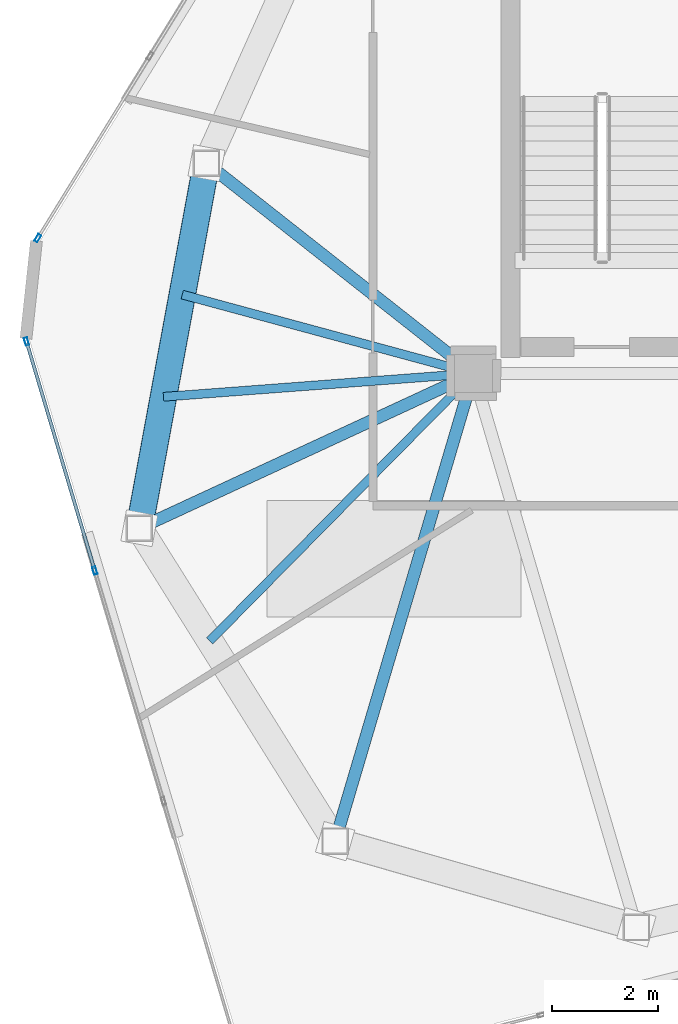
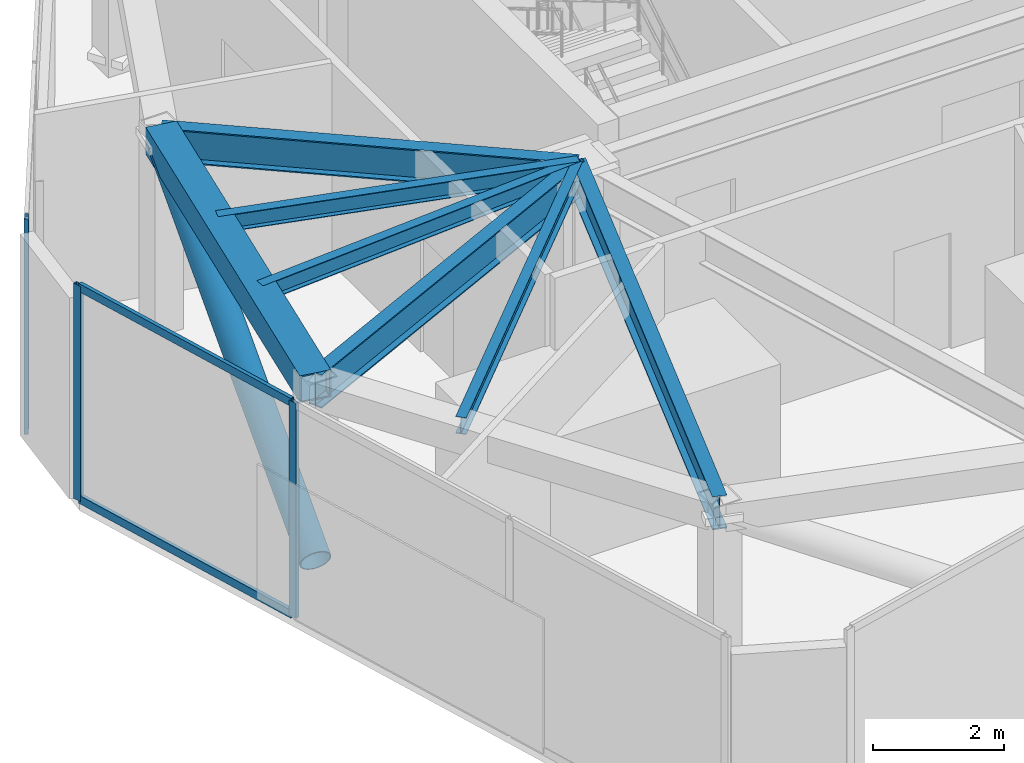
# One storey, part 5 of 21: 7 beams, 6 members, 2 elements without a shape of their own.
"""IFC4 building model written with IfcOpenShell, lengths in metres."""

from ifc_helpers import new_model, si_unit, direction, frame, origin, origin_2d, place, context, subcontext, project, spatial, hollow_rectangle, hollow_circle, i_section, extrude, source, transform, mapped, material, layer, layer_set, material_profile, profile_set, type_object, type_shapes, element, aggregate, save


model = new_model("IFC4")

# Units and contexts
model_context = context("Model", 3, precision=1e-05, world=origin(), true_north=direction((0.0, 1.0)))
body_context = subcontext(model_context, "Body", "Model", "MODEL_VIEW")
ifc_project = project(units=[si_unit("LENGTHUNIT", "METRE"), si_unit("AREAUNIT", "SQUARE_METRE"), si_unit("VOLUMEUNIT", "CUBIC_METRE"), si_unit("PLANEANGLEUNIT", "RADIAN"), si_unit("MASSUNIT", "GRAM", prefix="KILO")], contexts=[model_context])

# Site, building, storey
site_placement = place(None, origin())
site = spatial("IfcSite", under=ifc_project, at=site_placement, CompositionType="ELEMENT")
building_placement = place(site_placement, origin())
building = spatial("IfcBuilding", under=site, at=building_placement, Name="Talar Marvaseh", CompositionType="ELEMENT")
storey_placement = place(building_placement, frame((0.0, 0.0, 300.0)))
storey = spatial("IfcBuildingStorey", under=building, at=storey_placement, Name="L80", CompositionType="ELEMENT", Elevation=300.0)

# Beams
ifc_material_1 = material(Name="Steel S460", Category="steel")
ifc_material_profile_1 = material_profile(ifc_material_1, hollow_rectangle(XDim=0.5, YDim=0.5, WallThickness=0.02490234375, at=origin_2d()), Name="BOX500x500x25")
ifc_profile_set_1 = profile_set([ifc_material_profile_1], Name="Steel S460")
beam_type_1 = type_object("IfcBeamType", Name="Crown Frame Top Ring Beam BOX500x500x25", PredefinedType="BEAM", material=ifc_profile_set_1)
beam_1_placement = place(storey_placement, frame((12.388916015625, 22.576904296875, 3.489990234375), z_axis=(0.18106135948, 0.983471801377, 0.0), x_axis=(-0.983471801377, 0.18106135948, 0.0)))
element("IfcBeam", 1, at=beam_1_placement, inside=storey, type_object=beam_type_1, Name="L80 Crown Frame Top Ring Beam BOX500x500x25", PredefinedType="BEAM", context=body_context, shape_type="SweptSolid", body=[
    extrude(hollow_rectangle(XDim=0.5, YDim=0.5, WallThickness=0.02490234375, at=origin_2d()), origin(), (0.0, 0.0, 1.0), 7.0087890625),
])
ifc_material_2 = material(Name="Steel S355", Category="steel")
ifc_material_profile_2 = material_profile(ifc_material_2, i_section(OverallWidth=0.166015625, OverallDepth=0.31298828125, WebThickness=0.006591796875, FlangeThickness=0.01123046875, at=origin_2d()), Name="W310x45")
ifc_profile_set_2 = profile_set([ifc_material_profile_2], Name="Steel S355")
beam_type_2 = type_object("IfcBeamType", Name="Zone 3 Secondary Floor Joist W310x45", PredefinedType="JOIST", material=ifc_profile_set_2)
beam_2_placement = place(storey_placement, frame((12.845703125, 25.05859375, 3.58349609375), z_axis=(0.997169535009, 0.075185892627, 0.0), x_axis=(-0.075185892627, 0.997169535009, 0.0)))
element("IfcBeam", 2, at=beam_2_placement, inside=storey, type_object=beam_type_2, Name="L80 Zone 3 Secondary Floor Joist W310x45", PredefinedType="JOIST", context=body_context, shape_type="SweptSolid", body=[
    extrude(i_section(OverallWidth=0.166015625, OverallDepth=0.31298828125, WebThickness=0.006591796875, FlangeThickness=0.01123046875, at=origin_2d()), origin(), (0.0, 0.0, 1.0), 5.870849609375),
])
beam_3_placement = place(storey_placement, frame((13.201171875, 26.988525390625, 3.58349609375), z_axis=(0.965258580671, -0.26129652206, 0.0), x_axis=(0.26129652206, 0.965258580671, 0.0)))
element("IfcBeam", 3, at=beam_3_placement, inside=storey, type_object=beam_type_2, Name="L80 Zone 3 Secondary Floor Joist W310x45", PredefinedType="JOIST", context=body_context, shape_type="SweptSolid", body=[
    extrude(i_section(OverallWidth=0.166015625, OverallDepth=0.31298828125, WebThickness=0.006591796875, FlangeThickness=0.01123046875, at=origin_2d()), origin(), (0.0, 0.0, 1.0), 5.69677734375),
])
beam_4_placement = place(storey_placement, frame((13.72021484375, 20.44970703125, 3.58349609375), z_axis=(0.702115238584, 0.712063334085, 0.0), x_axis=(-0.712063334085, 0.702115238584, 0.0)))
element("IfcBeam", 4, at=beam_4_placement, inside=storey, type_object=beam_type_2, Name="L80 Zone 3 Secondary Floor Joist W310x45", PredefinedType="JOIST", context=body_context, shape_type="SweptSolid", body=[
    extrude(i_section(OverallWidth=0.166015625, OverallDepth=0.31298828125, WebThickness=0.006591796875, FlangeThickness=0.01123046875, at=origin_2d()), origin(), (0.0, 0.0, 1.0), 7.092529296875),
])
ifc_material_profile_3 = material_profile(ifc_material_2, i_section(OverallWidth=0.22998046875, OverallDepth=0.616943359375, WebThickness=0.01318359375, FlangeThickness=0.022216796875, at=origin_2d()), Name="W610x140")
ifc_profile_set_3 = profile_set([ifc_material_profile_3], Name="Steel S355")
beam_type_3 = type_object("IfcBeamType", Name="Zone 4 Radial Floor Girder W610x140", PredefinedType="BEAM", material=ifc_profile_set_3)
beam_5_placement = place(storey_placement, frame((12.388916015625, 22.576904296875, 3.431396484375), z_axis=(0.907394527995, 0.420279871709, 0.0), x_axis=(-0.420279871709, 0.907394527995, 0.0)))
element("IfcBeam", 5, at=beam_5_placement, inside=storey, type_object=beam_type_3, Name="L80 Zone 4 Radial Floor Girder W610x140", PredefinedType="BEAM", context=body_context, shape_type="SweptSolid", body=[
    extrude(i_section(OverallWidth=0.22998046875, OverallDepth=0.616943359375, WebThickness=0.01318359375, FlangeThickness=0.022216796875, at=origin_2d()), origin(), (0.0, 0.0, 1.0), 6.955078125),
])
beam_6_placement = place(storey_placement, frame((13.657958984375, 29.469970703125, 3.431396484375), z_axis=(0.785681617372, -0.618631066245, 0.0), x_axis=(0.618631066245, 0.785681617372, 0.0)))
element("IfcBeam", 6, at=beam_6_placement, inside=storey, type_object=beam_type_3, Name="L80 Zone 4 Radial Floor Girder W610x140", PredefinedType="BEAM", context=body_context, shape_type="SweptSolid", body=[
    extrude(i_section(OverallWidth=0.22998046875, OverallDepth=0.616943359375, WebThickness=0.01318359375, FlangeThickness=0.022216796875, at=origin_2d()), origin(), (0.0, 0.0, 1.0), 6.417236328125),
])
beam_7_placement = place(storey_placement, frame((16.0869140625, 16.66796875, 3.431396484375), z_axis=(0.283702937759, 0.958912218666, 0.0), x_axis=(-0.958912218666, 0.283702937759, 0.0)))
element("IfcBeam", 7, at=beam_7_placement, inside=storey, type_object=beam_type_3, Name="L80 Zone 4 Radial Floor Girder W610x140", PredefinedType="BEAM", context=body_context, shape_type="SweptSolid", body=[
    extrude(i_section(OverallWidth=0.22998046875, OverallDepth=0.616943359375, WebThickness=0.01318359375, FlangeThickness=0.022216796875, at=origin_2d()), origin(), (0.0, 0.0, 1.0), 9.21044921875),
])

# Member
ifc_material_profile_4 = material_profile(ifc_material_1, hollow_circle(Radius=0.25390625, WallThickness=0.02001953125, at=origin_2d()), Name="CHS508x20")
ifc_profile_set_4 = profile_set([ifc_material_profile_4], Name="Steel S460")
member_type_1 = type_object("IfcMemberType", Name="Crown Frame Diagonal Brace CHS508x20", PredefinedType="BRACE", material=ifc_profile_set_4)
shared_shape_1 = source(origin(), body_context, "Body", "SweptSolid", [
    extrude(hollow_circle(Radius=0.25390625, WallThickness=0.02001953125, at=origin_2d()), origin(), (0.0, 0.0, 1.0), 7.721435546875),
])
type_shapes(member_type_1, [shared_shape_1])
member_1_placement = place(storey_placement, frame((12.388916015625, 22.576904296875, 0.25), z_axis=(0.164350755553, 0.892704738799, 0.419603477672), x_axis=(-0.983471801377, 0.18106135948, 0.0)))
element("IfcMember", 8, at=member_1_placement, inside=storey, type_object=member_type_1, Name="L80 Crown Frame Diagonal Brace 1", PredefinedType="BRACE", context=body_context, shape_type="MappedRepresentation", body=[
    mapped(shared_shape_1, transform((0.0, 0.0, 0.0), x_axis=(1.0, 0.0, 0.0), y_axis=(0.0, 1.0, 0.0), z_axis=(0.0, 0.0, 1.0), scale=1.0)),
])

# Curtain wall, members
ifc_material_3 = material(Name="Architectural Aluminium", Category="aluminium")
ifc_layer = layer(ifc_material_3, 0.2099609375)
ifc_layer_set = layer_set([ifc_layer], Name="Architectural Aluminium")
curtain_wall_type = type_object("IfcCurtainWallType", Name="Crown Plant Acoustic Spandrel Curtain Wall", PredefinedType="NOTDEFINED", material=ifc_layer_set)
curtain_wall_1_placement = place(storey_placement, origin())
curtain_wall_1 = element("IfcCurtainWall", 9, at=curtain_wall_1_placement, inside=storey, type_object=curtain_wall_type, Name="L80 Crown Plant Acoustic Spandrel Curtain Wall", PredefinedType="NOTDEFINED")
ifc_material_profile_5 = material_profile(ifc_material_3, hollow_rectangle(XDim=0.06494140625, YDim=0.14990234375, WallThickness=0.00390625, at=origin_2d()), Name="RHS150x65x4")
ifc_profile_set_5 = profile_set([ifc_material_profile_5], Name="Architectural Aluminium")
member_type_2 = type_object("IfcMemberType", Name="Unitised Curtain Wall Slim Transom RHS150x65x4", PredefinedType="USERDEFINED", material=ifc_profile_set_5)
shared_shape_2 = source(origin(), body_context, "Body", "SweptSolid", [
    extrude(hollow_rectangle(XDim=0.06494140625, YDim=0.14990234375, WallThickness=0.00390625, at=origin_2d()), origin(), (0.0, 0.0, 1.0), 4.447265625),
])
type_shapes(member_type_2, [shared_shape_2])
member_2_placement = place(storey_placement, frame((11.53955078125, 21.807861328125, 0.032470703125), z_axis=(-0.285629998289, 0.958339973119, 0.0), x_axis=(-0.958339973119, -0.285629998289, 0.0)))
member_2 = element("IfcMember", 10, at=member_2_placement, type_object=member_type_2, Name="CW-CRN transom 3.1", ObjectType="TRANSOM", PredefinedType="USERDEFINED", context=body_context, shape_type="MappedRepresentation", body=[
    mapped(shared_shape_2, transform((0.0, 0.0, 0.0), x_axis=(1.0, 0.0, 0.0), y_axis=(0.0, 1.0, 0.0), z_axis=(0.0, 0.0, 1.0), scale=1.0)),
])
member_3_placement = place(storey_placement, frame((11.53955078125, 21.807861328125, 3.967529296875), z_axis=(-0.285629998289, 0.958339973119, 0.0), x_axis=(-0.958339973119, -0.285629998289, 0.0)))
member_3 = element("IfcMember", 11, at=member_3_placement, type_object=member_type_2, Name="CW-CRN transom 3.2", ObjectType="TRANSOM", PredefinedType="USERDEFINED", context=body_context, shape_type="MappedRepresentation", body=[
    mapped(shared_shape_2, transform((0.0, 0.0, 0.0), x_axis=(1.0, 0.0, 0.0), y_axis=(0.0, 1.0, 0.0), z_axis=(0.0, 0.0, 1.0), scale=1.0)),
])
ifc_material_profile_6 = material_profile(ifc_material_3, hollow_rectangle(XDim=0.06494140625, YDim=0.14990234375, WallThickness=0.00390625, at=origin_2d()), Name="RHS150x65x4")
ifc_profile_set_6 = profile_set([ifc_material_profile_6], Name="Architectural Aluminium")
member_type_3 = type_object("IfcMemberType", Name="Unitised Curtain Wall Slim Mullion RHS150x65x4", PredefinedType="MULLION", material=ifc_profile_set_6)
shared_shape_3 = source(origin(), body_context, "Body", "SweptSolid", [
    extrude(hollow_rectangle(XDim=0.06494140625, YDim=0.14990234375, WallThickness=0.00390625, at=origin_2d()), origin(), (0.0, 0.0, 1.0), 4.0),
])
type_shapes(member_type_3, [shared_shape_3])
member_4_placement = place(storey_placement, frame((11.548828125, 21.776611328125, 0.0), z_axis=(0.0, 0.0, 1.0), x_axis=(-0.958341697337, -0.285624213164, 0.0)))
member_4 = element("IfcMember", 12, at=member_4_placement, type_object=member_type_3, Name="CW-CRN mullion 3", PredefinedType="MULLION", context=body_context, shape_type="MappedRepresentation", body=[
    mapped(shared_shape_3, transform((0.0, 0.0, 0.0), x_axis=(1.0, 0.0, 0.0), y_axis=(0.0, 1.0, 0.0), z_axis=(0.0, 0.0, 1.0), scale=1.0)),
])
member_5_placement = place(storey_placement, frame((10.260009765625, 26.10107421875, 0.0), z_axis=(0.0, 0.0, 1.0), x_axis=(-0.958341697337, -0.285624213164, 0.0)))
member_5 = element("IfcMember", 13, at=member_5_placement, type_object=member_type_3, Name="CW-CRN mullion 4", PredefinedType="MULLION", context=body_context, shape_type="MappedRepresentation", body=[
    mapped(shared_shape_3, transform((0.0, 0.0, 0.0), x_axis=(1.0, 0.0, 0.0), y_axis=(0.0, 1.0, 0.0), z_axis=(0.0, 0.0, 1.0), scale=1.0)),
])
aggregate(curtain_wall_1, [member_4, member_5, member_2, member_3])

# Curtain wall, member
curtain_wall_2_placement = place(storey_placement, origin())
curtain_wall_2 = element("IfcCurtainWall", 14, at=curtain_wall_2_placement, inside=storey, type_object=curtain_wall_type, Name="L80 Crown Plant Acoustic Spandrel Curtain Wall", PredefinedType="NOTDEFINED")
member_6_placement = place(storey_placement, frame((10.47216796875, 28.054443359375, 0.0), z_axis=(0.0, 0.0, 1.0), x_axis=(-0.850977428238, 0.52520226259, 0.0)))
member_6 = element("IfcMember", 15, at=member_6_placement, type_object=member_type_3, Name="CW-CRN mullion 1", PredefinedType="MULLION", context=body_context, shape_type="MappedRepresentation", body=[
    mapped(shared_shape_3, transform((0.0, 0.0, 0.0), x_axis=(1.0, 0.0, 0.0), y_axis=(0.0, 1.0, 0.0), z_axis=(0.0, 0.0, 1.0), scale=1.0)),
])
aggregate(curtain_wall_2, [member_6])

save(model, "model.ifc")
